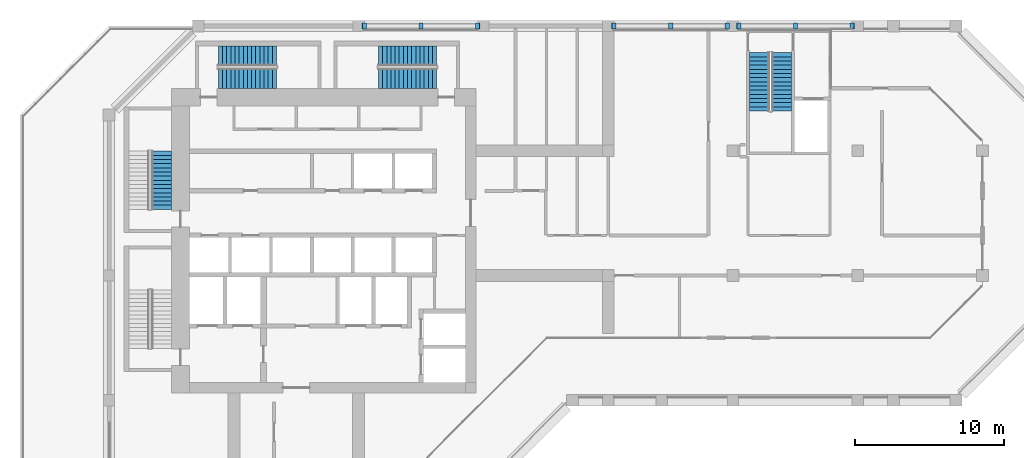
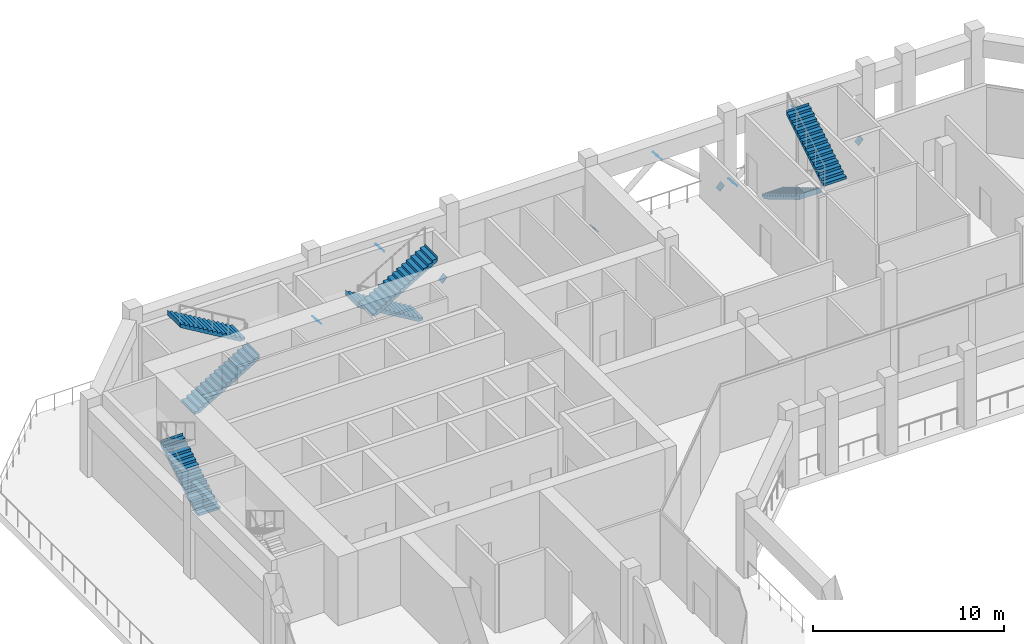
# One storey, part 10 of 16: 9 discrete accessories, 7 stair flights, 4 elements without a shape of their own.
"""IFC4 building model written with IfcOpenShell, lengths in metres."""

import ifcopenshell
import ifcopenshell.guid

model = None  # the IFC model being written
_history = None  # IfcOwnerHistory: only IFC2X3 demands one
_inside = {}  # id of a spatial element -> (the spatial element, [elements in it])
_under = {}  # id of a project, library or spatial element -> (it, [spatial elements below it])
_declared = {}  # id of a project -> (the project, [libraries it declares])
_typed = {}  # id of a type object -> (the type object, [elements of that type])
_made_of = {}  # id of a material, layer set ... -> (it, [elements and type objects made of it])


def new_model(schema):
    """Start an empty IFC model of exactly this schema.

    Asked for "IFC4X3", IfcOpenShell would pick the latest addendum, in which some entities
    have other attributes; the version numbers below select the first issue.
    IFC2X3 requires an IfcOwnerHistory on every rooted entity: one is made here for all.
    """
    global model, _history
    if schema == "IFC4X3":
        model = ifcopenshell.file(schema_version=(4, 3, 0, 0))
    else:
        model = ifcopenshell.file(schema=schema)
    _inside.clear()
    _under.clear()
    _declared.clear()
    _typed.clear()
    _made_of.clear()
    _history = None
    if model.schema == "IFC2X3":
        org = make("IfcOrganization", Name="unknown")
        user = make(
            "IfcPersonAndOrganization",
            ThePerson=make("IfcPerson", FamilyName="unknown"),
            TheOrganization=org,
        )
        app = make(
            "IfcApplication",
            ApplicationDeveloper=org,
            Version="unknown",
            ApplicationFullName="unknown",
            ApplicationIdentifier="unknown",
        )
        _history = make(
            "IfcOwnerHistory",
            OwningUser=user,
            OwningApplication=app,
            ChangeAction="ADDED",
            CreationDate=0,
        )
    return model


def make(cls, **values):
    """One entity of the class cls with the attributes given. An attribute that is None is left unset."""
    return model.create_entity(
        cls, **{name: value for name, value in values.items() if value is not None}
    )


def rooted(cls, **values):
    """An entity with a GlobalId (a new one), such as an element, a storey or a relation."""
    return make(cls, GlobalId=ifcopenshell.guid.new(), OwnerHistory=_history, **values)


def si_unit(unit_type, name, prefix=None):
    """IfcSIUnit, for example si_unit("LENGTHUNIT", "METRE", prefix="MILLI")."""
    return make("IfcSIUnit", UnitType=unit_type, Prefix=prefix, Name=name)


def assignment(units):
    """IfcUnitAssignment: the units of a project."""
    return None if units is None else make("IfcUnitAssignment", Units=units)


def point(xyz):
    """IfcCartesianPoint."""
    return None if xyz is None else make("IfcCartesianPoint", Coordinates=xyz)


def direction(xyz):
    """IfcDirection."""
    return None if xyz is None else make("IfcDirection", DirectionRatios=xyz)


def frame(location, z_axis=None, x_axis=None):
    """IfcAxis2Placement3D, a coordinate frame: its origin and axes. An axis left out is left unset."""
    return make(
        "IfcAxis2Placement3D",
        Location=point(location),
        Axis=direction(z_axis),
        RefDirection=direction(x_axis),
    )


def frame_2d(location, x_axis=None):
    """IfcAxis2Placement2D, a coordinate frame in the plane: its origin and x axis."""
    return make(
        "IfcAxis2Placement2D", Location=point(location), RefDirection=direction(x_axis)
    )


def origin():
    """The frame at (0, 0, 0) with its axes left unset."""
    return frame((0.0, 0.0, 0.0))


def origin_2d():
    """The frame at (0, 0) in the plane with its x axis left unset."""
    return frame_2d((0.0, 0.0))


def place(relative_to, where):
    """IfcLocalPlacement: puts the frame where relative to a parent placement (None: the world)."""
    return make(
        "IfcLocalPlacement", PlacementRelTo=relative_to, RelativePlacement=where
    )


def context(
    kind, dimensions, precision=None, world=None, true_north=None, identifier=None
):
    """IfcGeometricRepresentationContext, for example the 3D "Model" context."""
    return make(
        "IfcGeometricRepresentationContext",
        ContextIdentifier=identifier,
        ContextType=kind,
        CoordinateSpaceDimension=dimensions,
        Precision=precision,
        WorldCoordinateSystem=world,
        TrueNorth=true_north,
    )


def subcontext(parent, identifier, kind, view, scale=None):
    """IfcGeometricRepresentationSubContext, for example "Body" below "Model"."""
    return make(
        "IfcGeometricRepresentationSubContext",
        ContextIdentifier=identifier,
        ContextType=kind,
        ParentContext=parent,
        TargetScale=scale,
        TargetView=view,
    )


def project(units=None, contexts=None):
    """IfcProject with its units and contexts."""
    return rooted(
        "IfcProject",
        Name="project",
        RepresentationContexts=contexts,
        UnitsInContext=assignment(units),
    )


def spatial(cls, under=None, at=None, **own):
    """A site, building, storey or space (cls), placed at a placement, below another one or the project."""
    s = rooted(cls, ObjectPlacement=at, **own)
    if under is not None:
        _under.setdefault(under.id(), (under, []))[1].append(s)
    return s


def polyline(points):
    """IfcPolyline through the points."""
    return make("IfcPolyline", Points=[point(p) for p in points])


def profile(cls, at=None, kind="AREA", **sizes):
    """A parametric profile (cls). Its sizes go by their IFC names, for example OverallWidth=200.0."""
    return make(cls, ProfileType=kind, Position=at, **sizes)


def rectangle(**sizes):
    """IfcRectangleProfileDef."""
    return profile("IfcRectangleProfileDef", **sizes)


def outline(outer, holes=None, kind="AREA"):
    """IfcArbitraryClosedProfileDef: a profile drawn as a closed curve; with holes, ...WithVoids."""
    if holes is None:
        return make("IfcArbitraryClosedProfileDef", ProfileType=kind, OuterCurve=outer)
    return make(
        "IfcArbitraryProfileDefWithVoids",
        ProfileType=kind,
        OuterCurve=outer,
        InnerCurves=holes,
    )


def extrude(swept, where, along, depth):
    """IfcExtrudedAreaSolid: the profile swept, set in the frame where, extruded along a direction by depth."""
    return make(
        "IfcExtrudedAreaSolid",
        SweptArea=swept,
        Position=where,
        ExtrudedDirection=direction(along),
        Depth=depth,
    )


def shape(context_of_items, identifier, shape_type, items):
    """IfcShapeRepresentation: the items that make up one representation, for example the "Body"."""
    return make(
        "IfcShapeRepresentation",
        ContextOfItems=context_of_items,
        RepresentationIdentifier=identifier,
        RepresentationType=shape_type,
        Items=items,
    )


def material(Name=None, Category=None):
    """IfcMaterial."""
    return make("IfcMaterial", Name=Name, Category=Category)


def material_profile(
    of_material, cross_section, Name=None, Category=None, Priority=None
):
    """IfcMaterialProfile: a cross section and its material."""
    return make(
        "IfcMaterialProfile",
        Name=Name,
        Material=of_material,
        Profile=cross_section,
        Priority=Priority,
        Category=Category,
    )


def profile_set(profiles, Name=None, composite=None):
    """IfcMaterialProfileSet."""
    return make(
        "IfcMaterialProfileSet",
        Name=Name,
        MaterialProfiles=profiles,
        CompositeProfile=composite,
    )


def made_of(thing, what):
    """Note that an element or type object is made of a material, layer set ...; save() writes the relation."""
    if what is not None:
        _made_of.setdefault(what.id(), (what, []))[1].append(thing)
    return thing


def type_object(cls, material=None, **own):
    """A type object (cls), such as IfcWallType, which elements share."""
    return made_of(rooted(cls, **own), material)


def element(
    cls,
    number,
    at=None,
    inside=None,
    cuts=None,
    type_object=None,
    material=None,
    context=None,
    identifier="Body",
    shape_type=None,
    held_by="IfcProductDefinitionShape",
    body=None,
    shapes=None,
    **own,
):
    """One element of the class cls, such as IfcWall. Its Tag is "e" and its number.

    at: its placement. inside: the storey or other place that contains it. cuts: it is an
    opening in that element (IfcRelVoidsElement). A single representation is given by context,
    identifier, shape_type and body (its items); several are given by shapes. held_by: the class
    of the entity that holds the representations. save() writes the other relations.
    """
    e = rooted(cls, Tag="e%d" % number, ObjectPlacement=at, **own)
    if body is not None:
        shapes = [shape(context, identifier, shape_type, body)]
    if shapes is not None:
        e.Representation = make(held_by, Representations=shapes)
    if inside is not None:
        _inside.setdefault(inside.id(), (inside, []))[1].append(e)
    if cuts is not None:
        rooted(
            "IfcRelVoidsElement", RelatingBuildingElement=cuts, RelatedOpeningElement=e
        )
    if type_object is not None:
        _typed.setdefault(type_object.id(), (type_object, []))[1].append(e)
    return made_of(e, material)


def aggregate(whole, parts):
    """IfcRelAggregates: a whole, such as a stair, and the parts it consists of."""
    return rooted("IfcRelAggregates", RelatingObject=whole, RelatedObjects=parts)


def save(model, path):
    """Write the relations noted so far, then the file.

    IfcRelAggregates (storeys below a building ...), IfcRelContainedInSpatialStructure (elements
    in a storey), IfcRelDefinesByType, IfcRelAssociatesMaterial and IfcRelDeclares: one each for
    every whole, place, type object, material and project.
    """
    for whole, parts in _under.values():
        aggregate(whole, parts)
    for where, things in _inside.values():
        rooted(
            "IfcRelContainedInSpatialStructure",
            RelatedElements=things,
            RelatingStructure=where,
        )
    for kind, things in _typed.values():
        rooted("IfcRelDefinesByType", RelatedObjects=things, RelatingType=kind)
    for what, things in _made_of.values():
        rooted("IfcRelAssociatesMaterial", RelatedObjects=things, RelatingMaterial=what)
    for by, libraries in _declared.values():
        rooted("IfcRelDeclares", RelatingContext=by, RelatedDefinitions=libraries)
    model.write(path)


model = new_model("IFC4")

# Units and contexts
model_context = context("Model", 3, precision=1e-05, world=origin(), true_north=direction((0.0, 1.0)))
body_context = subcontext(model_context, "Body", "Model", "MODEL_VIEW")
ifc_project = project(units=[si_unit("LENGTHUNIT", "METRE"), si_unit("AREAUNIT", "SQUARE_METRE"), si_unit("VOLUMEUNIT", "CUBIC_METRE"), si_unit("PLANEANGLEUNIT", "RADIAN"), si_unit("MASSUNIT", "GRAM", prefix="KILO")], contexts=[model_context])

# Site, building, storey
site_placement = place(None, origin())
site = spatial("IfcSite", under=ifc_project, at=site_placement, CompositionType="ELEMENT")
building_placement = place(site_placement, origin())
building = spatial("IfcBuilding", under=site, at=building_placement, Name="Kawkab Arch Medical Tower", CompositionType="ELEMENT")
storey_placement = place(building_placement, frame((0.0, 0.0, 272.60009765625)))
storey = spatial("IfcBuildingStorey", under=building, at=storey_placement, Name="L63", CompositionType="ELEMENT", Elevation=272.60009765625)

# Stair, stair flight
ifc_material_1 = material(Name="Concrete C40/50", Category="concrete")
stair_type = type_object("IfcStairType", Name="Exit stair 1350", PredefinedType="HALF_TURN_STAIR", material=ifc_material_1)
placement = place(storey_placement, origin())
stair_1 = element("IfcStair", 1, at=placement, inside=storey, type_object=stair_type, Name="L63 Exit stair ST1", PredefinedType="HALF_TURN_STAIR")
ifc_material_2 = material(Name="Concrete C40/50", Category="concrete")
stair_flight_type = type_object("IfcStairFlightType", Name="Exit stair flight 1350", PredefinedType="STRAIGHT", material=ifc_material_2)
stair_flight_1_placement = place(storey_placement, frame((3.52490234375, -12.35009765625, 0.0), z_axis=(0.0, 0.0, 1.0), x_axis=(0.0, 1.0, 0.0)))
stair_flight_1 = element("IfcStairFlight", 2, at=stair_flight_1_placement, type_object=stair_flight_type, Name="ST1 flight 1", NumberOfRisers=15, NumberOfTreads=14, PredefinedType="STRAIGHT", RiserHeight=0.166666667, TreadLength=0.28, context=body_context, shape_type="SweptSolid", body=[
    extrude(outline(polyline([(-0.0029296875, 0.0), (-0.0029296875, 0.166748046875), (0.0, 0.166748046875), (0.280029296875, 0.166748046875), (0.280029296875, 0.333251953125), (0.56005859375, 0.333251953125), (0.56005859375, 0.5), (0.840087890625, 0.5), (0.840087890625, 0.666748046875), (1.1201171875, 0.666748046875), (1.1201171875, 0.833251953125), (1.39990234375, 0.833251953125), (1.39990234375, 1.0), (1.679931640625, 1.0), (1.679931640625, 1.166748046875), (1.9599609375, 1.166748046875), (1.9599609375, 1.333251953125), (2.239990234375, 1.333251953125), (2.239990234375, 1.5), (2.52001953125, 1.5), (2.52001953125, 1.666748046875), (2.800048828125, 1.666748046875), (2.800048828125, 1.833251953125), (3.080078125, 1.833251953125), (3.080078125, 2.0), (3.360107421875, 2.0), (3.360107421875, 2.166748046875), (3.639892578125, 2.166748046875), (3.639892578125, 2.333251953125), (3.919921875, 2.333251953125), (3.919921875, 2.5), (3.923095703125, 2.5), (3.923095703125, 2.158935546875), (3.919921875, 2.158935546875), (0.29296875, 0.0), (-0.0029296875, 0.0)])), frame((0.0, 0.675048828125, 0.0), z_axis=(0.0, -1.0, 0.0), x_axis=(1.0, 0.0, 0.0)), (0.0, 0.0, 1.0), 1.35009765625),
])
aggregate(stair_1, [stair_flight_1])

# Stair, stair flights
stair_2 = element("IfcStair", 3, at=placement, inside=storey, type_object=stair_type, Name="L63 Exit stair ST3", PredefinedType="HALF_TURN_STAIR")
stair_flight_2_placement = place(storey_placement, frame((7.35009765625, -3.52490234375, 0.0), z_axis=(0.0, 0.0, 1.0), x_axis=(1.0, 0.0, 0.0)))
stair_flight_2 = element("IfcStairFlight", 4, at=stair_flight_2_placement, type_object=stair_flight_type, Name="ST3 flight 1", NumberOfRisers=15, NumberOfTreads=14, PredefinedType="STRAIGHT", RiserHeight=0.166666667, TreadLength=0.28, context=body_context, shape_type="SweptSolid", body=[
    extrude(outline(polyline([(-0.0029296875, 0.0), (-0.0029296875, 0.166748046875), (0.0, 0.166748046875), (0.280029296875, 0.166748046875), (0.280029296875, 0.333251953125), (0.56005859375, 0.333251953125), (0.56005859375, 0.5), (0.840087890625, 0.5), (0.840087890625, 0.666748046875), (1.1201171875, 0.666748046875), (1.1201171875, 0.833251953125), (1.39990234375, 0.833251953125), (1.39990234375, 1.0), (1.679931640625, 1.0), (1.679931640625, 1.166748046875), (1.9599609375, 1.166748046875), (1.9599609375, 1.333251953125), (2.239990234375, 1.333251953125), (2.239990234375, 1.5), (2.52001953125, 1.5), (2.52001953125, 1.666748046875), (2.800048828125, 1.666748046875), (2.800048828125, 1.833251953125), (3.080078125, 1.833251953125), (3.080078125, 2.0), (3.360107421875, 2.0), (3.360107421875, 2.166748046875), (3.639892578125, 2.166748046875), (3.639892578125, 2.333251953125), (3.919921875, 2.333251953125), (3.919921875, 2.5), (3.923095703125, 2.5), (3.923095703125, 2.158935546875), (3.919921875, 2.158935546875), (0.29296875, 0.0), (-0.0029296875, 0.0)])), frame((0.0, 0.675048828125, 0.0), z_axis=(0.0, -1.0, 0.0), x_axis=(1.0, 0.0, 0.0)), (0.0, 0.0, 1.0), 1.35009765625),
])
stair_flight_3_placement = place(storey_placement, frame((11.27001953125, -2.02490234375, 2.5), z_axis=(0.0, 0.0, 1.0), x_axis=(-1.0, 0.0, 0.0)))
stair_flight_3 = element("IfcStairFlight", 5, at=stair_flight_3_placement, type_object=stair_flight_type, Name="ST3 flight 2", NumberOfRisers=15, NumberOfTreads=14, PredefinedType="STRAIGHT", RiserHeight=0.166666667, TreadLength=0.28, context=body_context, shape_type="SweptSolid", body=[
    extrude(outline(polyline([(-0.0029296875, 0.0), (-0.0029296875, 0.166748046875), (0.0, 0.166748046875), (0.280029296875, 0.166748046875), (0.280029296875, 0.333251953125), (0.56005859375, 0.333251953125), (0.56005859375, 0.5), (0.840087890625, 0.5), (0.840087890625, 0.666748046875), (1.1201171875, 0.666748046875), (1.1201171875, 0.833251953125), (1.39990234375, 0.833251953125), (1.39990234375, 1.0), (1.679931640625, 1.0), (1.679931640625, 1.166748046875), (1.9599609375, 1.166748046875), (1.9599609375, 1.333251953125), (2.239990234375, 1.333251953125), (2.239990234375, 1.5), (2.52001953125, 1.5), (2.52001953125, 1.666748046875), (2.800048828125, 1.666748046875), (2.800048828125, 1.833251953125), (3.080078125, 1.833251953125), (3.080078125, 2.0), (3.360107421875, 2.0), (3.360107421875, 2.166748046875), (3.639892578125, 2.166748046875), (3.639892578125, 2.333251953125), (3.919921875, 2.333251953125), (3.919921875, 2.5), (3.923095703125, 2.5), (3.923095703125, 2.158935546875), (3.919921875, 2.158935546875), (0.29296875, 0.0), (-0.0029296875, 0.0)])), frame((0.0, 0.675048828125, 0.0), z_axis=(0.0, -1.0, 0.0), x_axis=(1.0, 0.0, 0.0)), (0.0, 0.0, 1.0), 1.35009765625),
])
aggregate(stair_2, [stair_flight_2, stair_flight_3])

stair_3 = element("IfcStair", 6, at=placement, inside=storey, type_object=stair_type, Name="L63 Exit stair ST4", PredefinedType="HALF_TURN_STAIR")
stair_flight_4_placement = place(storey_placement, frame((22.050048828125, -2.02490234375, 0.0), z_axis=(0.0, 0.0, 1.0), x_axis=(-1.0, 0.0, 0.0)))
stair_flight_4 = element("IfcStairFlight", 7, at=stair_flight_4_placement, type_object=stair_flight_type, Name="ST4 flight 1", NumberOfRisers=15, NumberOfTreads=14, PredefinedType="STRAIGHT", RiserHeight=0.166666667, TreadLength=0.28, context=body_context, shape_type="SweptSolid", body=[
    extrude(outline(polyline([(-0.0029296875, 0.0), (-0.0029296875, 0.166748046875), (0.0, 0.166748046875), (0.280029296875, 0.166748046875), (0.280029296875, 0.333251953125), (0.56005859375, 0.333251953125), (0.56005859375, 0.5), (0.840087890625, 0.5), (0.840087890625, 0.666748046875), (1.1201171875, 0.666748046875), (1.1201171875, 0.833251953125), (1.39990234375, 0.833251953125), (1.39990234375, 1.0), (1.679931640625, 1.0), (1.679931640625, 1.166748046875), (1.9599609375, 1.166748046875), (1.9599609375, 1.333251953125), (2.239990234375, 1.333251953125), (2.239990234375, 1.5), (2.52001953125, 1.5), (2.52001953125, 1.666748046875), (2.800048828125, 1.666748046875), (2.800048828125, 1.833251953125), (3.080078125, 1.833251953125), (3.080078125, 2.0), (3.360107421875, 2.0), (3.360107421875, 2.166748046875), (3.639892578125, 2.166748046875), (3.639892578125, 2.333251953125), (3.919921875, 2.333251953125), (3.919921875, 2.5), (3.923095703125, 2.5), (3.923095703125, 2.158935546875), (3.919921875, 2.158935546875), (0.29296875, 0.0), (-0.0029296875, 0.0)])), frame((0.0, 0.675048828125, 0.0), z_axis=(0.0, -1.0, 0.0), x_axis=(1.0, 0.0, 0.0)), (0.0, 0.0, 1.0), 1.35009765625),
])
stair_flight_5_placement = place(storey_placement, frame((18.1298828125, -3.52490234375, 2.5), z_axis=(0.0, 0.0, 1.0), x_axis=(1.0, 0.0, 0.0)))
stair_flight_5 = element("IfcStairFlight", 8, at=stair_flight_5_placement, type_object=stair_flight_type, Name="ST4 flight 2", NumberOfRisers=15, NumberOfTreads=14, PredefinedType="STRAIGHT", RiserHeight=0.166666667, TreadLength=0.28, context=body_context, shape_type="SweptSolid", body=[
    extrude(outline(polyline([(-0.0029296875, 0.0), (-0.0029296875, 0.166748046875), (0.0, 0.166748046875), (0.280029296875, 0.166748046875), (0.280029296875, 0.333251953125), (0.56005859375, 0.333251953125), (0.56005859375, 0.5), (0.840087890625, 0.5), (0.840087890625, 0.666748046875), (1.1201171875, 0.666748046875), (1.1201171875, 0.833251953125), (1.39990234375, 0.833251953125), (1.39990234375, 1.0), (1.679931640625, 1.0), (1.679931640625, 1.166748046875), (1.9599609375, 1.166748046875), (1.9599609375, 1.333251953125), (2.239990234375, 1.333251953125), (2.239990234375, 1.5), (2.52001953125, 1.5), (2.52001953125, 1.666748046875), (2.800048828125, 1.666748046875), (2.800048828125, 1.833251953125), (3.080078125, 1.833251953125), (3.080078125, 2.0), (3.360107421875, 2.0), (3.360107421875, 2.166748046875), (3.639892578125, 2.166748046875), (3.639892578125, 2.333251953125), (3.919921875, 2.333251953125), (3.919921875, 2.5), (3.923095703125, 2.5), (3.923095703125, 2.158935546875), (3.919921875, 2.158935546875), (0.29296875, 0.0), (-0.0029296875, 0.0)])), frame((0.0, 0.675048828125, 0.0), z_axis=(0.0, -1.0, 0.0), x_axis=(1.0, 0.0, 0.0)), (0.0, 0.0, 1.0), 1.35009765625),
])
aggregate(stair_3, [stair_flight_4, stair_flight_5])

stair_4 = element("IfcStair", 9, at=placement, inside=storey, type_object=stair_type, Name="L63 Exit stair ST5", PredefinedType="HALF_TURN_STAIR")
stair_flight_6_placement = place(storey_placement, frame((43.77490234375, -1.800048828125, 0.0), z_axis=(0.0, 0.0, 1.0), x_axis=(0.0, -1.0, 0.0)))
stair_flight_6 = element("IfcStairFlight", 10, at=stair_flight_6_placement, type_object=stair_flight_type, Name="ST5 flight 1", NumberOfRisers=15, NumberOfTreads=14, PredefinedType="STRAIGHT", RiserHeight=0.166666667, TreadLength=0.28, context=body_context, shape_type="SweptSolid", body=[
    extrude(outline(polyline([(-0.0029296875, 0.0), (-0.0029296875, 0.166748046875), (0.0, 0.166748046875), (0.280029296875, 0.166748046875), (0.280029296875, 0.333251953125), (0.56005859375, 0.333251953125), (0.56005859375, 0.5), (0.840087890625, 0.5), (0.840087890625, 0.666748046875), (1.1201171875, 0.666748046875), (1.1201171875, 0.833251953125), (1.39990234375, 0.833251953125), (1.39990234375, 1.0), (1.679931640625, 1.0), (1.679931640625, 1.166748046875), (1.9599609375, 1.166748046875), (1.9599609375, 1.333251953125), (2.239990234375, 1.333251953125), (2.239990234375, 1.5), (2.52001953125, 1.5), (2.52001953125, 1.666748046875), (2.800048828125, 1.666748046875), (2.800048828125, 1.833251953125), (3.080078125, 1.833251953125), (3.080078125, 2.0), (3.360107421875, 2.0), (3.360107421875, 2.166748046875), (3.639892578125, 2.166748046875), (3.639892578125, 2.333251953125), (3.919921875, 2.333251953125), (3.919921875, 2.5), (3.923095703125, 2.5), (3.923095703125, 2.158935546875), (3.919921875, 2.158935546875), (0.29296875, 0.0), (-0.0029296875, 0.0)])), frame((0.0, 0.675048828125, 0.0), z_axis=(0.0, -1.0, 0.0), x_axis=(1.0, 0.0, 0.0)), (0.0, 0.0, 1.0), 1.35009765625),
])
stair_flight_7_placement = place(storey_placement, frame((45.27490234375, -5.719970703125, 2.5), z_axis=(0.0, 0.0, 1.0), x_axis=(0.0, 1.0, 0.0)))
stair_flight_7 = element("IfcStairFlight", 11, at=stair_flight_7_placement, type_object=stair_flight_type, Name="ST5 flight 2", NumberOfRisers=15, NumberOfTreads=14, PredefinedType="STRAIGHT", RiserHeight=0.166666667, TreadLength=0.28, context=body_context, shape_type="SweptSolid", body=[
    extrude(outline(polyline([(-0.0029296875, 0.0), (-0.0029296875, 0.166748046875), (0.0, 0.166748046875), (0.280029296875, 0.166748046875), (0.280029296875, 0.333251953125), (0.56005859375, 0.333251953125), (0.56005859375, 0.5), (0.840087890625, 0.5), (0.840087890625, 0.666748046875), (1.1201171875, 0.666748046875), (1.1201171875, 0.833251953125), (1.39990234375, 0.833251953125), (1.39990234375, 1.0), (1.679931640625, 1.0), (1.679931640625, 1.166748046875), (1.9599609375, 1.166748046875), (1.9599609375, 1.333251953125), (2.239990234375, 1.333251953125), (2.239990234375, 1.5), (2.52001953125, 1.5), (2.52001953125, 1.666748046875), (2.800048828125, 1.666748046875), (2.800048828125, 1.833251953125), (3.080078125, 1.833251953125), (3.080078125, 2.0), (3.360107421875, 2.0), (3.360107421875, 2.166748046875), (3.639892578125, 2.166748046875), (3.639892578125, 2.333251953125), (3.919921875, 2.333251953125), (3.919921875, 2.5), (3.923095703125, 2.5), (3.923095703125, 2.158935546875), (3.919921875, 2.158935546875), (0.29296875, 0.0), (-0.0029296875, 0.0)])), frame((0.0, 0.675048828125, 0.0), z_axis=(0.0, -1.0, 0.0), x_axis=(1.0, 0.0, 0.0)), (0.0, 0.0, 1.0), 1.35009765625),
])
aggregate(stair_4, [stair_flight_6, stair_flight_7])

# Discrete accessories
ifc_material_3 = material(Name="Steel S355", Category="steel")
ifc_material_profile = material_profile(ifc_material_3, rectangle(XDim=0.424072265625, YDim=0.424072265625, at=origin_2d()), Name="End plate 424 x 20")
ifc_profile_set = profile_set([ifc_material_profile], Name="Steel S355")
discrete_accessory_type = type_object("IfcDiscreteAccessoryType", Name="End plate 424 x 20", PredefinedType="ANCHORPLATE", material=ifc_profile_set)
for number, where, z_axis, x_axis, name in (
    (12, (20.992431640625, 0.0, 3.358154296875), (0.760121344352, 0.0, 0.649781149204), (0.0, 1.0, 0.0), "End plate BT5"),
    (13, (37.79248046875, 0.0, 3.358154296875), (0.760121344352, 0.0, 0.649781149204), (0.0, 1.0, 0.0), "End plate BT5"),
    (14, (46.1923828125, 0.0, 3.358154296875), (0.760121344352, 0.0, 0.649781149204), (0.0, 1.0, 0.0), "End plate BT5"),
    (15, (17.190185546875, 0.0, 0.070068359375), (-0.754081595886, 0.0, -0.656780744804), (0.0, -1.0, 0.0), "End plate BT5"),
    (16, (24.809814453125, 0.0, 0.070068359375), (0.754081595886, 0.0, -0.656780744804), (0.0, 1.0, 0.0), "End plate BT5"),
):
    element("IfcDiscreteAccessory", number, at=place(storey_placement, frame(where, z_axis=z_axis, x_axis=x_axis)), inside=storey, type_object=discrete_accessory_type, Name=name, PredefinedType="ANCHORPLATE", context=body_context, shape_type="SweptSolid", body=[
        extrude(rectangle(XDim=0.424072265625, YDim=0.424072265625, at=origin_2d()), origin(), (0.0, 0.0, 1.0), 0.02001953125),
    ])
discrete_accessory_1_placement = place(storey_placement, frame((33.989990234375, 0.0, 0.070068359375), z_axis=(-0.748762225055, 0.0, -0.662838691033), x_axis=(0.0, -1.0, 0.0)))
element("IfcDiscreteAccessory", 17, at=discrete_accessory_1_placement, inside=storey, type_object=discrete_accessory_type, Name="End plate BT5", PredefinedType="ANCHORPLATE", context=body_context, shape_type="SweptSolid", body=[
    extrude(rectangle(XDim=0.424072265625, YDim=0.424072265625, at=origin_2d()), origin(), (0.0, 0.0, 1.0), 0.019775390625),
])
for number, where, z_axis, x_axis, name in (
    (18, (41.60986328125, 0.0, 0.070068359375), (0.754081595886, 0.0, -0.656780744804), (0.0, 1.0, 0.0), "End plate BT5"),
    (19, (42.39013671875, 0.0, 0.070068359375), (-0.754081595886, 0.0, -0.656780744804), (0.0, -1.0, 0.0), "End plate BT5"),
):
    element("IfcDiscreteAccessory", number, at=place(storey_placement, frame(where, z_axis=z_axis, x_axis=x_axis)), inside=storey, type_object=discrete_accessory_type, Name=name, PredefinedType="ANCHORPLATE", context=body_context, shape_type="SweptSolid", body=[
        extrude(rectangle(XDim=0.424072265625, YDim=0.424072265625, at=origin_2d()), origin(), (0.0, 0.0, 1.0), 0.02001953125),
    ])
discrete_accessory_2_placement = place(storey_placement, frame((50.010009765625, 0.0, 0.070068359375), z_axis=(0.748762225055, 0.0, -0.662838691033), x_axis=(0.0, 1.0, 0.0)))
element("IfcDiscreteAccessory", 20, at=discrete_accessory_2_placement, inside=storey, type_object=discrete_accessory_type, Name="End plate BT5", PredefinedType="ANCHORPLATE", context=body_context, shape_type="SweptSolid", body=[
    extrude(rectangle(XDim=0.424072265625, YDim=0.424072265625, at=origin_2d()), origin(), (0.0, 0.0, 1.0), 0.019775390625),
])

save(model, "model.ifc")
